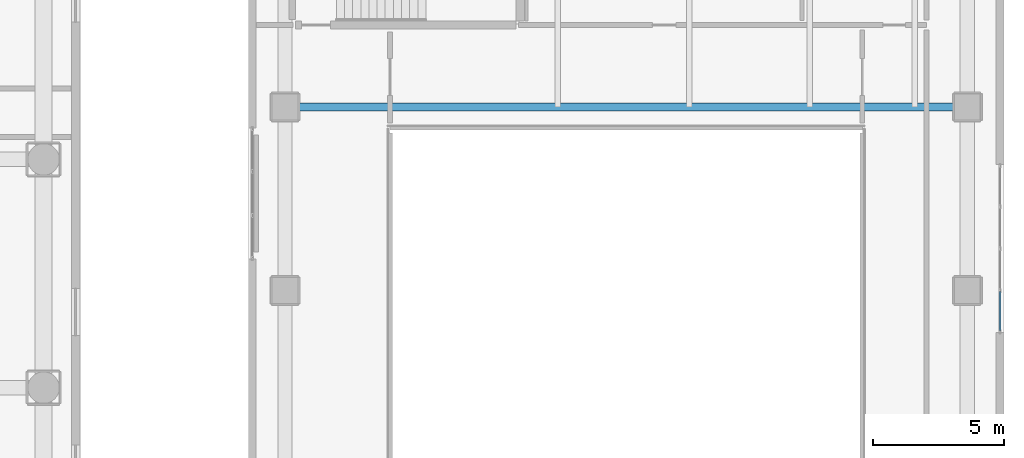
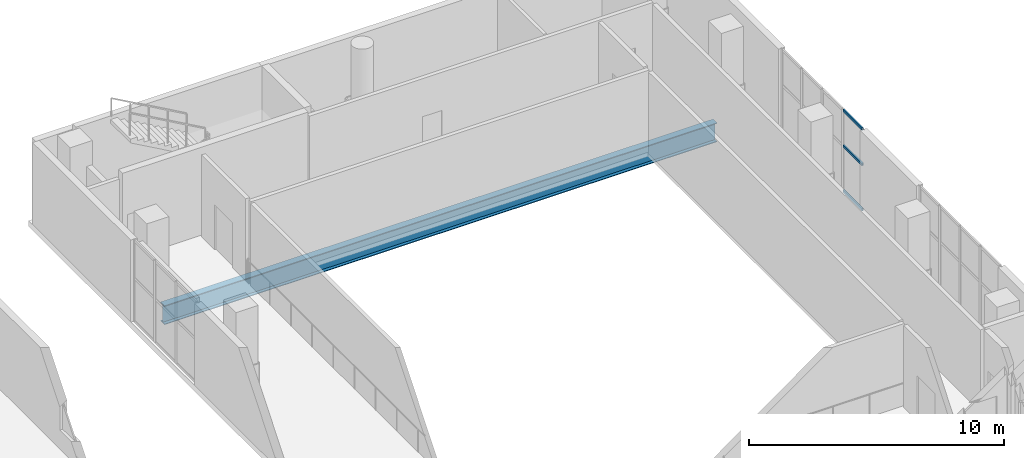
# One storey, part 11 of 24: 3 members, 1 beam, 1 element without a shape of its own.
"""IFC4 building model written with IfcOpenShell, lengths in metres."""

from ifc_helpers import new_model, si_unit, direction, frame, origin, origin_2d, place, context, subcontext, project, spatial, hollow_rectangle, i_section, extrude, material, layer, layer_set, material_profile, profile_set, type_object, element, aggregate, save


model = new_model("IFC4")

# Units and contexts
model_context = context("Model", 3, precision=1e-05, world=origin(), true_north=direction((0.0, 1.0)))
body_context = subcontext(model_context, "Body", "Model", "MODEL_VIEW")
ifc_project = project(units=[si_unit("LENGTHUNIT", "METRE"), si_unit("AREAUNIT", "SQUARE_METRE"), si_unit("VOLUMEUNIT", "CUBIC_METRE"), si_unit("PLANEANGLEUNIT", "RADIAN"), si_unit("MASSUNIT", "GRAM", prefix="KILO")], contexts=[model_context])

# Site, building, storey
site_placement = place(None, origin())
site = spatial("IfcSite", under=ifc_project, at=site_placement, CompositionType="ELEMENT")
building_placement = place(site_placement, origin())
building = spatial("IfcBuilding", under=site, at=building_placement, Name="Solanera Arch Residences", CompositionType="ELEMENT")
storey_placement = place(building_placement, frame((0.0, 0.0, 5.199951171875)))
storey = spatial("IfcBuildingStorey", under=building, at=storey_placement, Name="L01", CompositionType="ELEMENT", Elevation=5.199951171875)

# Curtain wall, members
ifc_material_1 = material(Name="Anodised Aluminium Alloy 6063-T6", Category="aluminium")
ifc_layer = layer(ifc_material_1, 0.14990234375)
ifc_layer_set = layer_set([ifc_layer], Name="Anodised Aluminium Alloy 6063-T6")
curtain_wall_type = type_object("IfcCurtainWallType", Name="CW-2 Paseo Shopfront Glazing", PredefinedType="USERDEFINED", material=ifc_layer_set)
curtain_wall_placement = place(storey_placement, origin())
curtain_wall = element("IfcCurtainWall", 1, at=curtain_wall_placement, inside=storey, type_object=curtain_wall_type, Name="L01 Sports Hall East Promenade Glazing 1", ObjectType="CURTAIN_WALL", PredefinedType="USERDEFINED")
ifc_material_2 = material(Name="Anodised Aluminium Alloy 6063-T6", Category="aluminium")
ifc_material_profile_1 = material_profile(ifc_material_2, hollow_rectangle(XDim=0.070068359375, YDim=0.1201171875, WallThickness=0.00390625, at=origin_2d()))
ifc_profile_set_1 = profile_set([ifc_material_profile_1], Name="Anodised Aluminium Alloy 6063-T6")
member_type = type_object("IfcMemberType", Name="Curtain Wall Transom ALU-TRN-70X120", PredefinedType="USERDEFINED", material=ifc_profile_set_1)
member_1_placement = place(storey_placement, frame((83.050048828125, 34.364990234375, 0.03515625), z_axis=(0.0, -1.0, 0.0), x_axis=(1.0, 0.0, 0.0)))
member_1 = element("IfcMember", 2, at=member_1_placement, type_object=member_type, Name="CW-2 transom 4.1", ObjectType="TRANSOM", PredefinedType="USERDEFINED", context=body_context, shape_type="SweptSolid", body=[
    extrude(hollow_rectangle(XDim=0.070068359375, YDim=0.1201171875, WallThickness=0.00390625, at=origin_2d()), origin(), (0.0, 0.0, 1.0), 1.494873046875),
])
member_2_placement = place(storey_placement, frame((83.050048828125, 34.364990234375, 2.199951171875), z_axis=(0.0, -1.0, 0.0), x_axis=(1.0, 0.0, 0.0)))
member_2 = element("IfcMember", 3, at=member_2_placement, type_object=member_type, Name="CW-2 transom 4.2", ObjectType="TRANSOM", PredefinedType="USERDEFINED", context=body_context, shape_type="SweptSolid", body=[
    extrude(hollow_rectangle(XDim=0.070068359375, YDim=0.1201171875, WallThickness=0.00390625, at=origin_2d()), origin(), (0.0, 0.0, 1.0), 1.494873046875),
])
member_3_placement = place(storey_placement, frame((83.050048828125, 34.364990234375, 3.885009765625), z_axis=(0.0, -1.0, 0.0), x_axis=(1.0, 0.0, 0.0)))
member_3 = element("IfcMember", 4, at=member_3_placement, type_object=member_type, Name="CW-2 transom 4.3", ObjectType="TRANSOM", PredefinedType="USERDEFINED", context=body_context, shape_type="SweptSolid", body=[
    extrude(hollow_rectangle(XDim=0.070068359375, YDim=0.1201171875, WallThickness=0.00390625, at=origin_2d()), origin(), (0.0, 0.0, 1.0), 1.494873046875),
])
aggregate(curtain_wall, [member_1, member_2, member_3])

# Beam
ifc_material_3 = material(Name="Steel S355 (ASTM A992 / A572 Grade 50)", Category="steel")
ifc_material_profile_2 = material_profile(ifc_material_3, i_section(OverallWidth=0.306884765625, OverallDepth=0.912109375, WebThickness=0.01953125, FlangeThickness=0.031982421875, at=origin_2d()))
ifc_profile_set_2 = profile_set([ifc_material_profile_2], Name="Steel S355 (ASTM A992 / A572 Grade 50)")
beam_type = type_object("IfcBeamType", Name="Primary Beam W920X342", PredefinedType="BEAM", material=ifc_profile_set_2)
beam_placement = place(storey_placement, frame((56.300048828125, 41.39990234375, -0.73583984375), z_axis=(1.0, 0.0, 0.0), x_axis=(0.0, 1.0, 0.0)))
element("IfcBeam", 5, at=beam_placement, inside=storey, type_object=beam_type, Name="BM-L01-HCN", PredefinedType="BEAM", context=body_context, shape_type="SweptSolid", body=[
    extrude(i_section(OverallWidth=0.306884765625, OverallDepth=0.912109375, WebThickness=0.01953125, FlangeThickness=0.031982421875, at=origin_2d()), origin(), (0.0, 0.0, 1.0), 25.0),
])

save(model, "model.ifc")
